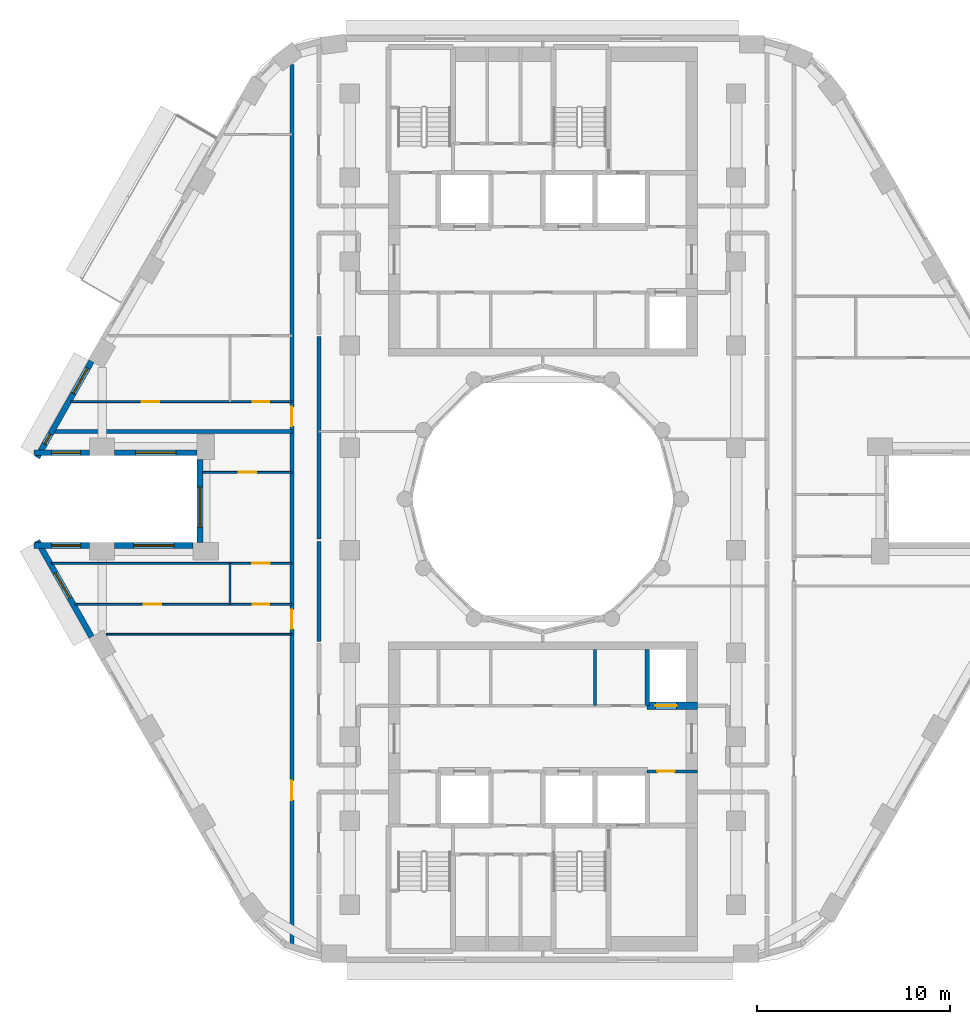
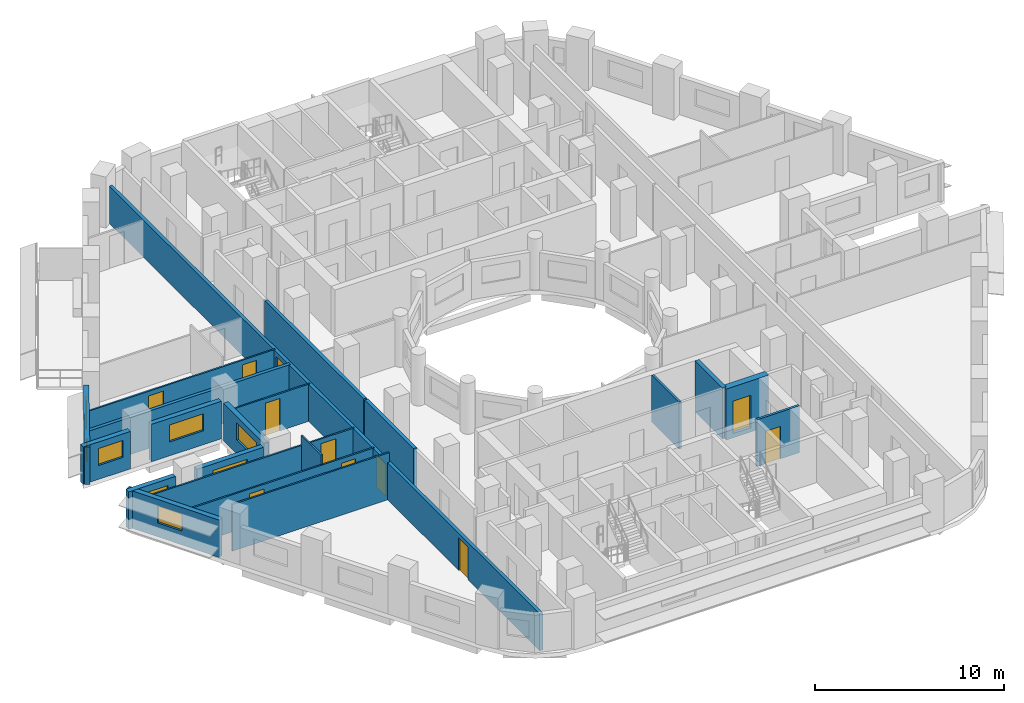
# One storey, part 4 of 13: 21 walls, 11 doors, 8 windows, 19 openings.
"""IFC4 building model written with IfcOpenShell, lengths in metres."""

from ifc_helpers import new_model, si_unit, direction, frame, frame_2d, origin, place, context, subcontext, project, spatial, rectangle, extrude, material, layer, layer_set, type_object, element, fill, save


model = new_model("IFC4")

# Units and contexts
model_context = context("Model", 3, precision=1e-05, world=origin(), true_north=direction((0.0, 1.0)))
body_context = subcontext(model_context, "Body", "Model", "MODEL_VIEW")
ifc_project = project(units=[si_unit("LENGTHUNIT", "METRE"), si_unit("AREAUNIT", "SQUARE_METRE"), si_unit("VOLUMEUNIT", "CUBIC_METRE"), si_unit("PLANEANGLEUNIT", "RADIAN"), si_unit("MASSUNIT", "GRAM", prefix="KILO")], contexts=[model_context])

# Site, building, storey
site_placement = place(None, origin())
site = spatial("IfcSite", under=ifc_project, at=site_placement, CompositionType="ELEMENT")
building_placement = place(site_placement, origin())
building = spatial("IfcBuilding", under=site, at=building_placement, Name="Nakaniwa Court", CompositionType="ELEMENT")
storey_placement = place(building_placement, frame((0.0, 0.0, 143.699951171875)))
storey = spatial("IfcBuildingStorey", under=building, at=storey_placement, Name="L37", CompositionType="ELEMENT", Elevation=143.699951171875)

# Walls
ifc_material_1 = material(Name="Acoustic double stud partition")
ifc_layer_1 = layer(ifc_material_1, 0.199951171875)
ifc_layer_set_1 = layer_set([ifc_layer_1], Name="Acoustic double stud partition")
wall_type_1 = type_object("IfcWallType", Name="Acoustic double stud partition 200", PredefinedType="PARTITIONING", material=ifc_layer_set_1)
wall_1_placement = place(storey_placement, frame((68.39990234375, 72.627197265625, 0.0), z_axis=(0.0, 0.0, 1.0), x_axis=(0.0, 1.0, 0.0)))
element("IfcWall", 1, at=wall_1_placement, inside=storey, type_object=wall_type_1, Name="Partition PW-103", PredefinedType="PARTITIONING", context=body_context, shape_type="SweptSolid", body=[
    extrude(rectangle(XDim=5.185546875, YDim=0.199951171875, at=frame_2d((2.5927734375, 0.0))), origin(), (0.0, 0.0, 1.0), 3.025146484375),
])
wall_2_placement = place(storey_placement, frame((68.39990234375, 77.92724609375, 0.0), z_axis=(0.0, 0.0, 1.0), x_axis=(0.0, 1.0, 0.0)))
element("IfcWall", 2, at=wall_2_placement, inside=storey, type_object=wall_type_1, Name="Partition PW-104", PredefinedType="PARTITIONING", context=body_context, shape_type="SweptSolid", body=[
    extrude(rectangle(XDim=10.485595703125, YDim=0.199951171875, at=frame_2d((5.24267578125, 0.0))), origin(), (0.0, 0.0, 1.0), 3.025146484375),
])

# Wall, openings, doors
wall_3_placement = place(storey_placement, frame((67.0, 56.833251953125, 0.0), z_axis=(0.0, 0.0, 1.0), x_axis=(0.0, 1.0, 0.0)))
wall_3 = element("IfcWall", 3, at=wall_3_placement, inside=storey, type_object=wall_type_1, Name="Partition PW-108", PredefinedType="PARTITIONING", context=body_context, shape_type="SweptSolid", body=[
    extrude(rectangle(XDim=45.660888671875, YDim=0.199951171875, at=frame_2d((22.83056640625, 0.0))), origin(), (0.0, 0.0, 1.0), 2.405029296875),
])
opening_1_placement = place(wall_3_placement, frame((7.583984375, 0.0, 0.0)))
opening_1 = element("IfcOpeningElement", 4, at=opening_1_placement, cuts=wall_3, Name="Opening D-02-06", PredefinedType="OPENING", context=body_context, shape_type="SweptSolid", body=[
    extrude(rectangle(XDim=1.0, YDim=2.10009765625, at=frame_2d((0.5, 1.050048828125))), frame((0.0, 0.10986328125, 0.0), z_axis=(0.0, -1.0, 0.0), x_axis=(1.0, 0.0, 0.0)), (0.0, 0.0, 1.0), 0.219970703125),
])
opening_2_placement = place(wall_3_placement, frame((16.44189453125, 0.0, 0.0)))
opening_2 = element("IfcOpeningElement", 5, at=opening_2_placement, cuts=wall_3, Name="Opening D-01-02", PredefinedType="OPENING", context=body_context, shape_type="SweptSolid", body=[
    extrude(rectangle(XDim=1.0, YDim=2.10009765625, at=frame_2d((0.5, 1.050048828125))), frame((0.0, 0.10986328125, 0.0), z_axis=(0.0, -1.0, 0.0), x_axis=(1.0, 0.0, 0.0)), (0.0, 0.0, 1.0), 0.219970703125),
])
opening_3_placement = place(wall_3_placement, frame((26.94189453125, 0.0, 0.0)))
opening_3 = element("IfcOpeningElement", 6, at=opening_3_placement, cuts=wall_3, Name="Opening D-01-03", PredefinedType="OPENING", context=body_context, shape_type="SweptSolid", body=[
    extrude(rectangle(XDim=1.0, YDim=2.10009765625, at=frame_2d((0.5, 1.050048828125))), frame((0.0, 0.10986328125, 0.0), z_axis=(0.0, -1.0, 0.0), x_axis=(1.0, 0.0, 0.0)), (0.0, 0.0, 1.0), 0.219970703125),
])
ifc_material_2 = material(Name="Solid core timber door set, black veneer", Category="wood")
door_type_1 = type_object("IfcDoorType", Name="Flat entrance door 1000", OperationType="NOTDEFINED", PredefinedType="DOOR", material=ifc_material_2)
door_1_placement = place(opening_2_placement, origin())
door_1 = element("IfcDoor", 7, at=door_1_placement, inside=storey, type_object=door_type_1, Name="Door D-01-02 L37-039", OperationType="SINGLE_SWING_RIGHT", OverallHeight=2.10009765625, OverallWidth=1.0, PredefinedType="DOOR", context=body_context, shape_type="SweptSolid", body=[
    extrude(rectangle(XDim=1.0, YDim=2.10009765625, at=frame_2d((0.5, 1.050048828125))), frame((0.0, 0.02490234375, 0.0), z_axis=(0.0, -1.0, 0.0), x_axis=(1.0, 0.0, 0.0)), (0.0, 0.0, 1.0), 0.050048828125),
])
fill(opening_2, door_1)
door_2_placement = place(opening_3_placement, origin())
door_2 = element("IfcDoor", 8, at=door_2_placement, inside=storey, type_object=door_type_1, Name="Door D-01-03 L37-045", OperationType="SINGLE_SWING_RIGHT", OverallHeight=2.10009765625, OverallWidth=1.0, PredefinedType="DOOR", context=body_context, shape_type="SweptSolid", body=[
    extrude(rectangle(XDim=1.0, YDim=2.10009765625, at=frame_2d((0.5, 1.050048828125))), frame((0.0, 0.02490234375, 0.0), z_axis=(0.0, -1.0, 0.0), x_axis=(1.0, 0.0, 0.0)), (0.0, 0.0, 1.0), 0.050048828125),
])
fill(opening_3, door_2)
door_type_2 = type_object("IfcDoorType", Name="Internal door 1000", OperationType="NOTDEFINED", PredefinedType="DOOR", material=ifc_material_2)
door_3_placement = place(opening_1_placement, origin())
door_3 = element("IfcDoor", 9, at=door_3_placement, inside=storey, type_object=door_type_2, Name="Door D-02-06 L37-037", OperationType="SINGLE_SWING_RIGHT", OverallHeight=2.10009765625, OverallWidth=1.0, PredefinedType="DOOR", context=body_context, shape_type="SweptSolid", body=[
    extrude(rectangle(XDim=1.0, YDim=2.10009765625, at=frame_2d((0.5, 1.050048828125))), frame((0.0, 0.02490234375, 0.0), z_axis=(0.0, -1.0, 0.0), x_axis=(1.0, 0.0, 0.0)), (0.0, 0.0, 1.0), 0.050048828125),
])
fill(opening_1, door_3)

# Wall
wall_4_placement = place(storey_placement, frame((54.654296875, 83.5, 0.0), z_axis=(0.0, 0.0, 1.0), x_axis=(1.0, 0.0, 0.0)))
element("IfcWall", 10, at=wall_4_placement, inside=storey, type_object=wall_type_1, Name="Partition PW-132", PredefinedType="PARTITIONING", context=body_context, shape_type="SweptSolid", body=[
    extrude(rectangle(XDim=12.3447265625, YDim=0.199951171875, at=frame_2d((6.17236328125, 0.0))), origin(), (0.0, 0.0, 1.0), 2.405029296875),
])

# Wall, openings, windows
ifc_material_3 = material(Name="Charcoal ceramic cladding")
ifc_layer_2 = layer(ifc_material_3, 0.02, Name="Ceramic cladding")
ifc_material_4 = material(Name="Ventilated air cavity")
ifc_layer_3 = layer(ifc_material_4, 0.04, ventilated=True, Name="Ventilated cavity")
ifc_material_5 = material(Name="Mineral wool insulation")
ifc_layer_4 = layer(ifc_material_5, 0.1, Name="Insulation")
ifc_material_6 = material(Name="Cement bonded sheathing board")
ifc_layer_5 = layer(ifc_material_6, 0.012, Name="Sheathing")
ifc_material_7 = material(Name="Cold-formed galvanised stud frame with mineral wool infill")
ifc_layer_6 = layer(ifc_material_7, 0.1, Name="Stud frame")
ifc_material_8 = material(Name="Fire-rated gypsum plasterboard lining")
ifc_layer_7 = layer(ifc_material_8, 0.028, Name="Lining")
ifc_layer_set_2 = layer_set([ifc_layer_2, ifc_layer_3, ifc_layer_4, ifc_layer_5, ifc_layer_6, ifc_layer_7], Name="Charcoal ceramic faced external wall system")
wall_type_2 = type_object("IfcWallType", Name="Black ceramic faced external wall 300", PredefinedType="SOLIDWALL", material=ifc_layer_set_2)
wall_5_placement = place(storey_placement, frame((56.63427734375, 87.13720703125, 0.0), z_axis=(0.0, 0.0, 1.0), x_axis=(-0.492498306264, -0.87031340236, 0.0)))
wall_5 = element("IfcWall", 11, at=wall_5_placement, inside=storey, type_object=wall_type_2, Name="L37 external wall 14", PredefinedType="SOLIDWALL", context=body_context, shape_type="SweptSolid", body=[
    extrude(rectangle(XDim=5.7265625, YDim=0.300048828125, at=frame_2d((2.86328125, 0.0))), origin(), (0.0, 0.0, 1.0), 2.425048828125),
])
opening_4_placement = place(wall_5_placement, frame((0.413818359375, 0.0, 0.89990234375)))
opening_4 = element("IfcOpeningElement", 12, at=opening_4_placement, cuts=wall_5, Name="Opening W5.15", PredefinedType="OPENING", context=body_context, shape_type="SweptSolid", body=[
    extrude(rectangle(XDim=1.5, YDim=1.10009765625, at=frame_2d((0.75, 0.550048828125))), frame((0.0, 0.159912109375, 0.0), z_axis=(0.0, -1.0, 0.0), x_axis=(1.0, 0.0, 0.0)), (0.0, 0.0, 1.0), 0.320068359375),
])
opening_5_placement = place(wall_5_placement, frame((4.32861328125, 0.0, 0.89990234375)))
opening_5 = element("IfcOpeningElement", 13, at=opening_5_placement, cuts=wall_5, Name="Opening W8.16", PredefinedType="OPENING", context=body_context, shape_type="SweptSolid", body=[
    extrude(rectangle(XDim=0.60009765625, YDim=1.10009765625, at=frame_2d((0.300048828125, 0.550048828125))), frame((0.0, 0.159912109375, 0.0), z_axis=(0.0, -1.0, 0.0), x_axis=(1.0, 0.0, 0.0)), (0.0, 0.0, 1.0), 0.320068359375),
])
ifc_material_9 = material(Name="Black anodised aluminium frame with dark low-E laminated double glazing", Category="aluminium")
window_type_1 = type_object("IfcWindowType", Name="Dark glass window 1500x1100 sill 900", PartitioningType="SINGLE_PANEL", PredefinedType="WINDOW", material=ifc_material_9)
window_1_placement = place(opening_4_placement, origin())
window_1 = element("IfcWindow", 14, at=window_1_placement, inside=storey, type_object=window_type_1, Name="L37 habitable room window 14-0", OverallHeight=1.10009765625, OverallWidth=1.5, PartitioningType="SINGLE_PANEL", PredefinedType="WINDOW", context=body_context, shape_type="SweptSolid", body=[
    extrude(rectangle(XDim=1.5, YDim=1.10009765625, at=frame_2d((0.75, 0.550048828125))), frame((0.0, 0.030029296875, 0.0), z_axis=(0.0, -1.0, 0.0), x_axis=(1.0, 0.0, 0.0)), (0.0, 0.0, 1.0), 0.06005859375),
])
fill(opening_4, window_1)
window_type_2 = type_object("IfcWindowType", Name="Dark glass window 600x1100 sill 900", PartitioningType="SINGLE_PANEL", PredefinedType="WINDOW", material=ifc_material_9)
window_2_placement = place(opening_5_placement, origin())
window_2 = element("IfcWindow", 15, at=window_2_placement, inside=storey, type_object=window_type_2, Name="L37 habitable room window 14-2", OverallHeight=1.10009765625, OverallWidth=0.60009765625, PartitioningType="SINGLE_PANEL", PredefinedType="WINDOW", context=body_context, shape_type="SweptSolid", body=[
    extrude(rectangle(XDim=0.60009765625, YDim=1.10009765625, at=frame_2d((0.300048828125, 0.550048828125))), frame((0.0, 0.030029296875, 0.0), z_axis=(0.0, -1.0, 0.0), x_axis=(1.0, 0.0, 0.0)), (0.0, 0.0, 1.0), 0.06005859375),
])
fill(opening_5, window_2)

# Wall, opening, window
wall_6_placement = place(storey_placement, frame((53.643310546875, 82.39990234375, 0.0), z_axis=(0.0, 0.0, 1.0), x_axis=(1.0, 0.0, 0.0)))
wall_6 = element("IfcWall", 16, at=wall_6_placement, inside=storey, type_object=wall_type_2, Name="L37 external wall 15", PredefinedType="SOLIDWALL", context=body_context, shape_type="SweptSolid", body=[
    extrude(rectangle(XDim=2.8876953125, YDim=0.300048828125, at=frame_2d((1.44384765625, 0.0))), origin(), (0.0, 0.0, 1.0), 2.425048828125),
])
opening_6_placement = place(wall_6_placement, frame((0.9189453125, 0.0, 0.89990234375)))
opening_6 = element("IfcOpeningElement", 17, at=opening_6_placement, cuts=wall_6, Name="Opening W5.17", PredefinedType="OPENING", context=body_context, shape_type="SweptSolid", body=[
    extrude(rectangle(XDim=1.5, YDim=1.10009765625, at=frame_2d((0.75, 0.550048828125))), frame((0.0, 0.159912109375, 0.0), z_axis=(0.0, -1.0, 0.0), x_axis=(1.0, 0.0, 0.0)), (0.0, 0.0, 1.0), 0.320068359375),
])
window_3_placement = place(opening_6_placement, origin())
window_3 = element("IfcWindow", 18, at=window_3_placement, inside=storey, type_object=window_type_1, Name="L37 habitable room window 15-0", OverallHeight=1.10009765625, OverallWidth=1.5, PartitioningType="SINGLE_PANEL", PredefinedType="WINDOW", context=body_context, shape_type="SweptSolid", body=[
    extrude(rectangle(XDim=1.5, YDim=1.10009765625, at=frame_2d((0.75, 0.550048828125))), frame((0.0, 0.030029296875, 0.0), z_axis=(0.0, -1.0, 0.0), x_axis=(1.0, 0.0, 0.0)), (0.0, 0.0, 1.0), 0.06005859375),
])
fill(opening_6, window_3)

wall_7_placement = place(storey_placement, frame((57.822998046875, 82.39990234375, 0.0), z_axis=(0.0, 0.0, 1.0), x_axis=(1.0, 0.0, 0.0)))
wall_7 = element("IfcWall", 19, at=wall_7_placement, inside=storey, type_object=wall_type_2, Name="L37 external wall 16", PredefinedType="SOLIDWALL", context=body_context, shape_type="SweptSolid", body=[
    extrude(rectangle(XDim=4.272705078125, YDim=0.300048828125, at=frame_2d((2.13623046875, 0.0))), origin(), (0.0, 0.0, 1.0), 2.425048828125),
])
opening_7_placement = place(wall_7_placement, frame((1.086181640625, 0.0, 0.89990234375)))
opening_7 = element("IfcOpeningElement", 20, at=opening_7_placement, cuts=wall_7, Name="Opening W7.18", PredefinedType="OPENING", context=body_context, shape_type="SweptSolid", body=[
    extrude(rectangle(XDim=2.10009765625, YDim=1.10009765625, at=frame_2d((1.050048828125, 0.550048828125))), frame((0.0, 0.159912109375, 0.0), z_axis=(0.0, -1.0, 0.0), x_axis=(1.0, 0.0, 0.0)), (0.0, 0.0, 1.0), 0.320068359375),
])
window_type_3 = type_object("IfcWindowType", Name="Dark glass window 2100x1100 sill 900", PartitioningType="SINGLE_PANEL", PredefinedType="WINDOW", material=ifc_material_9)
window_4_placement = place(opening_7_placement, origin())
window_4 = element("IfcWindow", 21, at=window_4_placement, inside=storey, type_object=window_type_3, Name="L37 habitable room window 16-0", OverallHeight=1.10009765625, OverallWidth=2.10009765625, PartitioningType="SINGLE_PANEL", PredefinedType="WINDOW", context=body_context, shape_type="SweptSolid", body=[
    extrude(rectangle(XDim=2.10009765625, YDim=1.10009765625, at=frame_2d((1.050048828125, 0.550048828125))), frame((0.0, 0.030029296875, 0.0), z_axis=(0.0, -1.0, 0.0), x_axis=(1.0, 0.0, 0.0)), (0.0, 0.0, 1.0), 0.06005859375),
])
fill(opening_7, window_4)

wall_8_placement = place(storey_placement, frame((62.24169921875, 82.053955078125, 0.0), z_axis=(0.0, 0.0, 1.0), x_axis=(0.0, -1.0, 0.0)))
wall_8 = element("IfcWall", 22, at=wall_8_placement, inside=storey, type_object=wall_type_2, Name="L37 external wall 17", PredefinedType="SOLIDWALL", context=body_context, shape_type="SweptSolid", body=[
    extrude(rectangle(XDim=4.307861328125, YDim=0.300048828125, at=frame_2d((2.15380859375, 0.0))), origin(), (0.0, 0.0, 1.0), 2.425048828125),
])
opening_8_placement = place(wall_8_placement, frame((1.4287109375, 0.0, 0.89990234375)))
opening_8 = element("IfcOpeningElement", 23, at=opening_8_placement, cuts=wall_8, Name="Opening W7.19", PredefinedType="OPENING", context=body_context, shape_type="SweptSolid", body=[
    extrude(rectangle(XDim=2.10009765625, YDim=1.10009765625, at=frame_2d((1.050048828125, 0.550048828125))), frame((0.0, 0.159912109375, 0.0), z_axis=(0.0, -1.0, 0.0), x_axis=(1.0, 0.0, 0.0)), (0.0, 0.0, 1.0), 0.320068359375),
])
window_5_placement = place(opening_8_placement, origin())
window_5 = element("IfcWindow", 24, at=window_5_placement, inside=storey, type_object=window_type_3, Name="L37 living window 17-1", OverallHeight=1.10009765625, OverallWidth=2.10009765625, PartitioningType="SINGLE_PANEL", PredefinedType="WINDOW", context=body_context, shape_type="SweptSolid", body=[
    extrude(rectangle(XDim=2.10009765625, YDim=1.10009765625, at=frame_2d((1.050048828125, 0.550048828125))), frame((0.0, 0.030029296875, 0.0), z_axis=(0.0, -1.0, 0.0), x_axis=(1.0, 0.0, 0.0)), (0.0, 0.0, 1.0), 0.06005859375),
])
fill(opening_8, window_5)

wall_9_placement = place(storey_placement, frame((61.8955078125, 77.60009765625, 0.0), z_axis=(0.0, 0.0, 1.0), x_axis=(-1.0, 0.0, 0.0)))
wall_9 = element("IfcWall", 25, at=wall_9_placement, inside=storey, type_object=wall_type_2, Name="L37 external wall 18", PredefinedType="SOLIDWALL", context=body_context, shape_type="SweptSolid", body=[
    extrude(rectangle(XDim=4.072509765625, YDim=0.300048828125, at=frame_2d((2.0361328125, 0.0))), origin(), (0.0, 0.0, 1.0), 2.425048828125),
])
opening_9_placement = place(wall_9_placement, frame((0.986083984375, 0.0, 0.89990234375)))
opening_9 = element("IfcOpeningElement", 26, at=opening_9_placement, cuts=wall_9, Name="Opening W7.20", PredefinedType="OPENING", context=body_context, shape_type="SweptSolid", body=[
    extrude(rectangle(XDim=2.10009765625, YDim=1.10009765625, at=frame_2d((1.050048828125, 0.550048828125))), frame((0.0, 0.159912109375, 0.0), z_axis=(0.0, -1.0, 0.0), x_axis=(1.0, 0.0, 0.0)), (0.0, 0.0, 1.0), 0.320068359375),
])
window_6_placement = place(opening_9_placement, origin())
window_6 = element("IfcWindow", 27, at=window_6_placement, inside=storey, type_object=window_type_3, Name="L37 living window 18-0", OverallHeight=1.10009765625, OverallWidth=2.10009765625, PartitioningType="SINGLE_PANEL", PredefinedType="WINDOW", context=body_context, shape_type="SweptSolid", body=[
    extrude(rectangle(XDim=2.10009765625, YDim=1.10009765625, at=frame_2d((1.050048828125, 0.550048828125))), frame((0.0, 0.030029296875, 0.0), z_axis=(0.0, -1.0, 0.0), x_axis=(1.0, 0.0, 0.0)), (0.0, 0.0, 1.0), 0.06005859375),
])
fill(opening_9, window_6)

wall_10_placement = place(storey_placement, frame((56.531005859375, 77.60009765625, 0.0), z_axis=(0.0, 0.0, 1.0), x_axis=(-1.0, 0.0, 0.0)))
wall_10 = element("IfcWall", 28, at=wall_10_placement, inside=storey, type_object=wall_type_2, Name="L37 external wall 19", PredefinedType="SOLIDWALL", context=body_context, shape_type="SweptSolid", body=[
    extrude(rectangle(XDim=2.8876953125, YDim=0.300048828125, at=frame_2d((1.44384765625, 0.0))), origin(), (0.0, 0.0, 1.0), 2.425048828125),
])
opening_10_placement = place(wall_10_placement, frame((0.468994140625, 0.0, 0.89990234375)))
opening_10 = element("IfcOpeningElement", 29, at=opening_10_placement, cuts=wall_10, Name="Opening W5.21", PredefinedType="OPENING", context=body_context, shape_type="SweptSolid", body=[
    extrude(rectangle(XDim=1.5, YDim=1.10009765625, at=frame_2d((0.75, 0.550048828125))), frame((0.0, 0.159912109375, 0.0), z_axis=(0.0, -1.0, 0.0), x_axis=(1.0, 0.0, 0.0)), (0.0, 0.0, 1.0), 0.320068359375),
])
window_7_placement = place(opening_10_placement, origin())
window_7 = element("IfcWindow", 30, at=window_7_placement, inside=storey, type_object=window_type_1, Name="L37 living window 19-0", OverallHeight=1.10009765625, OverallWidth=1.5, PartitioningType="SINGLE_PANEL", PredefinedType="WINDOW", context=body_context, shape_type="SweptSolid", body=[
    extrude(rectangle(XDim=1.5, YDim=1.10009765625, at=frame_2d((0.75, 0.550048828125))), frame((0.0, 0.030029296875, 0.0), z_axis=(0.0, -1.0, 0.0), x_axis=(1.0, 0.0, 0.0)), (0.0, 0.0, 1.0), 0.06005859375),
])
fill(opening_10, window_7)

wall_11_placement = place(storey_placement, frame((53.81396484375, 77.8466796875, 0.0), z_axis=(0.0, 0.0, 1.0), x_axis=(0.492498306264, -0.87031340236, 0.0)))
wall_11 = element("IfcWall", 31, at=wall_11_placement, inside=storey, type_object=wall_type_2, Name="L37 external wall 20", PredefinedType="SOLIDWALL", context=body_context, shape_type="SweptSolid", body=[
    extrude(rectangle(XDim=5.7265625, YDim=0.300048828125, at=frame_2d((2.86328125, 0.0))), origin(), (0.0, 0.0, 1.0), 2.425048828125),
])
opening_11_placement = place(wall_11_placement, frame((1.916259765625, 0.0, 0.89990234375)))
opening_11 = element("IfcOpeningElement", 32, at=opening_11_placement, cuts=wall_11, Name="Opening W5.22", PredefinedType="OPENING", context=body_context, shape_type="SweptSolid", body=[
    extrude(rectangle(XDim=1.5, YDim=1.10009765625, at=frame_2d((0.75, 0.550048828125))), frame((0.0, 0.159912109375, 0.0), z_axis=(0.0, -1.0, 0.0), x_axis=(1.0, 0.0, 0.0)), (0.0, 0.0, 1.0), 0.320068359375),
])
window_8_placement = place(opening_11_placement, origin())
window_8 = element("IfcWindow", 33, at=window_8_placement, inside=storey, type_object=window_type_1, Name="L37 habitable room window 20-1", OverallHeight=1.10009765625, OverallWidth=1.5, PartitioningType="SINGLE_PANEL", PredefinedType="WINDOW", context=body_context, shape_type="SweptSolid", body=[
    extrude(rectangle(XDim=1.5, YDim=1.10009765625, at=frame_2d((0.75, 0.550048828125))), frame((0.0, 0.030029296875, 0.0), z_axis=(0.0, -1.0, 0.0), x_axis=(1.0, 0.0, 0.0)), (0.0, 0.0, 1.0), 0.06005859375),
])
fill(opening_11, window_8)

# Wall
ifc_material_10 = material(Name="Blockwork partition", Category="masonry")
ifc_layer_8 = layer(ifc_material_10, 0.14990234375)
ifc_layer_set_3 = layer_set([ifc_layer_8], Name="Blockwork partition")
wall_type_3 = type_object("IfcWallType", Name="Blockwork partition 150", PredefinedType="PARTITIONING", material=ifc_layer_set_3)
wall_12_placement = place(storey_placement, frame((82.699951171875, 69.300048828125, 0.0), z_axis=(0.0, 0.0, 1.0), x_axis=(0.0, 1.0, 0.0)))
element("IfcWall", 34, at=wall_12_placement, inside=storey, type_object=wall_type_3, Name="Partition PW-044", PredefinedType="PARTITIONING", context=body_context, shape_type="SweptSolid", body=[
    extrude(rectangle(XDim=2.89990234375, YDim=0.14990234375, at=frame_2d((1.449951171875, 0.0))), origin(), (0.0, 0.0, 1.0), 3.025146484375),
])

# Wall, opening, door
wall_13_placement = place(storey_placement, frame((88.0, 65.89990234375, 0.0), z_axis=(0.0, 0.0, 1.0), x_axis=(-1.0, 0.0, 0.0)))
wall_13 = element("IfcWall", 35, at=wall_13_placement, inside=storey, type_object=wall_type_3, Name="Partition PW-047", PredefinedType="PARTITIONING", context=body_context, shape_type="SweptSolid", body=[
    extrude(rectangle(XDim=2.60302734375, YDim=0.14990234375, at=frame_2d((1.301513671875, 0.0))), origin(), (0.0, 0.0, 1.0), 3.025146484375),
])
opening_12_placement = place(wall_13_placement, frame((1.175048828125, 0.0, 0.0)))
opening_12 = element("IfcOpeningElement", 36, at=opening_12_placement, cuts=wall_13, Name="Opening D-05-13", PredefinedType="OPENING", context=body_context, shape_type="SweptSolid", body=[
    extrude(rectangle(XDim=0.89990234375, YDim=2.10009765625, at=frame_2d((0.449951171875, 1.050048828125))), frame((0.0, 0.0849609375, 0.0), z_axis=(0.0, -1.0, 0.0), x_axis=(1.0, 0.0, 0.0)), (0.0, 0.0, 1.0), 0.169921875),
])
ifc_material_11 = material(Name="Fire rated steel door set", Category="steel")
door_type_3 = type_object("IfcDoorType", Name="Service room door 900", OperationType="NOTDEFINED", PredefinedType="DOOR", material=ifc_material_11)
door_4_placement = place(opening_12_placement, origin())
door_4 = element("IfcDoor", 37, at=door_4_placement, inside=storey, type_object=door_type_3, Name="Door D-05-13 L37-020", OperationType="SINGLE_SWING_LEFT", OverallHeight=2.10009765625, OverallWidth=0.89990234375, PredefinedType="DOOR", context=body_context, shape_type="SweptSolid", body=[
    extrude(rectangle(XDim=0.89990234375, YDim=2.10009765625, at=frame_2d((0.449951171875, 1.050048828125))), frame((0.0, 0.02490234375, 0.0), z_axis=(0.0, -1.0, 0.0), x_axis=(1.0, 0.0, 0.0)), (0.0, 0.0, 1.0), 0.050048828125),
])
fill(opening_12, door_4)

ifc_material_12 = material(Name="Concrete C80/100", Category="concrete")
ifc_layer_9 = layer(ifc_material_12, 0.39990234375)
ifc_layer_set_4 = layer_set([ifc_layer_9], Name="Concrete C80/100")
wall_type_4 = type_object("IfcWallType", Name="Concrete core spine wall 400 C80", PredefinedType="SHEAR", material=ifc_layer_set_4)
wall_14_placement = place(storey_placement, frame((85.39990234375, 69.300048828125, -0.27490234375), z_axis=(0.0, 0.0, 1.0), x_axis=(1.0, 0.0, 0.0)))
wall_14 = element("IfcWall", 38, at=wall_14_placement, inside=storey, type_object=wall_type_4, Name="Core wall SW-41", PredefinedType="SHEAR", context=body_context, shape_type="SweptSolid", body=[
    extrude(rectangle(XDim=2.60009765625, YDim=0.39990234375, at=frame_2d((1.300048828125, 0.0))), origin(), (0.0, 0.0, 1.0), 3.300048828125),
])
opening_13_placement = place(wall_14_placement, frame((0.425048828125, 0.0, 0.27490234375)))
opening_13 = element("IfcOpeningElement", 39, at=opening_13_placement, cuts=wall_14, Name="Opening LD05", PredefinedType="OPENING", context=body_context, shape_type="SweptSolid", body=[
    extrude(rectangle(XDim=1.10009765625, YDim=2.10009765625, at=frame_2d((0.550048828125, 1.050048828125))), frame((0.0, 0.2099609375, 0.0), z_axis=(0.0, -1.0, 0.0), x_axis=(1.0, 0.0, 0.0)), (0.0, 0.0, 1.0), 0.419921875),
])
ifc_material_13 = material(Name="Stainless steel sliding lift landing door", Category="steel")
door_type_4 = type_object("IfcDoorType", Name="Lift landing door 1100", OperationType="NOTDEFINED", PredefinedType="DOOR", material=ifc_material_13)
door_5_placement = place(opening_13_placement, origin())
door_5 = element("IfcDoor", 40, at=door_5_placement, inside=storey, type_object=door_type_4, Name="Lift landing door LD05 L37-005", OperationType="SLIDING_TO_LEFT", OverallHeight=2.10009765625, OverallWidth=1.10009765625, PredefinedType="DOOR", context=body_context, shape_type="SweptSolid", body=[
    extrude(rectangle(XDim=1.10009765625, YDim=2.10009765625, at=frame_2d((0.550048828125, 1.050048828125))), frame((0.0, 0.02490234375, 0.0), z_axis=(0.0, -1.0, 0.0), x_axis=(1.0, 0.0, 0.0)), (0.0, 0.0, 1.0), 0.050048828125),
])
fill(opening_13, door_5)

# Walls
ifc_layer_10 = layer(ifc_material_12, 0.25)
ifc_layer_set_5 = layer_set([ifc_layer_10], Name="Concrete C80/100")
wall_type_5 = type_object("IfcWallType", Name="Concrete shaft wall 250 C80", PredefinedType="SHEAR", material=ifc_layer_set_5)
wall_15_placement = place(storey_placement, frame((85.39990234375, 69.300048828125, -0.27490234375), z_axis=(0.0, 0.0, 1.0), x_axis=(0.0, 1.0, 0.0)))
element("IfcWall", 41, at=wall_15_placement, inside=storey, type_object=wall_type_5, Name="Core wall SW-40", PredefinedType="SHEAR", context=body_context, shape_type="SweptSolid", body=[
    extrude(rectangle(XDim=2.89990234375, YDim=0.25, at=frame_2d((1.449951171875, 0.0))), origin(), (0.0, 0.0, 1.0), 3.300048828125),
])
ifc_material_14 = material(Name="Single stud plasterboard partition")
ifc_layer_11 = layer(ifc_material_14, 0.10009765625)
ifc_layer_set_6 = layer_set([ifc_layer_11], Name="Single stud plasterboard partition")
wall_type_6 = type_object("IfcWallType", Name="Single stud plasterboard partition 100", PredefinedType="PARTITIONING", material=ifc_layer_set_6)
wall_16_placement = place(storey_placement, frame((57.390869140625, 73.0, 0.0), z_axis=(0.0, 0.0, 1.0), x_axis=(1.0, 0.0, 0.0)))
element("IfcWall", 42, at=wall_16_placement, inside=storey, type_object=wall_type_6, Name="Partition PW-124", PredefinedType="PARTITIONING", context=body_context, shape_type="SweptSolid", body=[
    extrude(rectangle(XDim=9.60791015625, YDim=0.10009765625, at=frame_2d((4.803955078125, 0.0))), origin(), (0.0, 0.0, 1.0), 3.025146484375),
])

# Wall, openings, doors
wall_17_placement = place(storey_placement, frame((55.7802734375, 74.550048828125, 0.0), z_axis=(0.0, 0.0, 1.0), x_axis=(1.0, 0.0, 0.0)))
wall_17 = element("IfcWall", 43, at=wall_17_placement, inside=storey, type_object=wall_type_6, Name="Partition PW-127", PredefinedType="PARTITIONING", context=body_context, shape_type="SweptSolid", body=[
    extrude(rectangle(XDim=11.21875, YDim=0.10009765625, at=frame_2d((5.609375, 0.0))), origin(), (0.0, 0.0, 1.0), 2.405029296875),
])
opening_14_placement = place(wall_17_placement, frame((9.194091796875, 0.0, 0.0)))
opening_14 = element("IfcOpeningElement", 44, at=opening_14_placement, cuts=wall_17, Name="Opening D-03-02", PredefinedType="OPENING", context=body_context, shape_type="SweptSolid", body=[
    extrude(rectangle(XDim=0.85009765625, YDim=2.10009765625, at=frame_2d((0.425048828125, 1.050048828125))), frame((0.0, 0.06005859375, 0.0), z_axis=(0.0, -1.0, 0.0), x_axis=(1.0, 0.0, 0.0)), (0.0, 0.0, 1.0), 0.1201171875),
])
opening_15_placement = place(wall_17_placement, frame((3.55908203125, 0.0, 0.0)))
opening_15 = element("IfcOpeningElement", 45, at=opening_15_placement, cuts=wall_17, Name="Opening D-33-04", PredefinedType="OPENING", context=body_context, shape_type="SweptSolid", body=[
    extrude(rectangle(XDim=0.89990234375, YDim=2.10009765625, at=frame_2d((0.449951171875, 1.050048828125))), frame((0.0, 0.06005859375, 0.0), z_axis=(0.0, -1.0, 0.0), x_axis=(1.0, 0.0, 0.0)), (0.0, 0.0, 1.0), 0.1201171875),
])
ifc_material_15 = material(Name="Moisture sealed timber door set", Category="wood")
door_type_5 = type_object("IfcDoorType", Name="Bathroom door 850", OperationType="NOTDEFINED", PredefinedType="DOOR", material=ifc_material_15)
door_6_placement = place(opening_14_placement, origin())
door_6 = element("IfcDoor", 46, at=door_6_placement, inside=storey, type_object=door_type_5, Name="Door D-03-02 L37-040", OperationType="SINGLE_SWING_LEFT", OverallHeight=2.10009765625, OverallWidth=0.85009765625, PredefinedType="DOOR", context=body_context, shape_type="SweptSolid", body=[
    extrude(rectangle(XDim=0.85009765625, YDim=2.10009765625, at=frame_2d((0.425048828125, 1.050048828125))), frame((0.0, 0.02490234375, 0.0), z_axis=(0.0, -1.0, 0.0), x_axis=(1.0, 0.0, 0.0)), (0.0, 0.0, 1.0), 0.050048828125),
])
fill(opening_14, door_6)
door_type_6 = type_object("IfcDoorType", Name="Internal door 900", OperationType="NOTDEFINED", PredefinedType="DOOR", material=ifc_material_2)
door_7_placement = place(opening_15_placement, origin())
door_7 = element("IfcDoor", 47, at=door_7_placement, inside=storey, type_object=door_type_6, Name="Door D-33-04 L37-041", OperationType="SINGLE_SWING_RIGHT", OverallHeight=2.10009765625, OverallWidth=0.89990234375, PredefinedType="DOOR", context=body_context, shape_type="SweptSolid", body=[
    extrude(rectangle(XDim=0.89990234375, YDim=2.10009765625, at=frame_2d((0.449951171875, 1.050048828125))), frame((0.0, 0.02490234375, 0.0), z_axis=(0.0, -1.0, 0.0), x_axis=(1.0, 0.0, 0.0)), (0.0, 0.0, 1.0), 0.050048828125),
])
fill(opening_15, door_7)

# Wall
wall_18_placement = place(storey_placement, frame((63.799072265625, 74.550048828125, 0.0), z_axis=(0.0, 0.0, 1.0), x_axis=(0.0, 1.0, 0.0)))
element("IfcWall", 48, at=wall_18_placement, inside=storey, type_object=wall_type_6, Name="Partition PW-128", PredefinedType="PARTITIONING", context=body_context, shape_type="SweptSolid", body=[
    extrude(rectangle(XDim=2.11962890625, YDim=0.10009765625, at=frame_2d((1.059814453125, 0.0))), origin(), (0.0, 0.0, 1.0), 3.025146484375),
])

# Wall, opening, door
wall_19_placement = place(storey_placement, frame((54.556396484375, 76.669921875, 0.0), z_axis=(0.0, 0.0, 1.0), x_axis=(1.0, 0.0, 0.0)))
wall_19 = element("IfcWall", 49, at=wall_19_placement, inside=storey, type_object=wall_type_6, Name="Partition PW-130", PredefinedType="PARTITIONING", context=body_context, shape_type="SweptSolid", body=[
    extrude(rectangle(XDim=12.442626953125, YDim=0.10009765625, at=frame_2d((6.22119140625, 0.0))), origin(), (0.0, 0.0, 1.0), 2.405029296875),
])
opening_16_placement = place(wall_19_placement, frame((10.39111328125, 0.0, 0.0)))
opening_16 = element("IfcOpeningElement", 50, at=opening_16_placement, cuts=wall_19, Name="Opening D-33-05", PredefinedType="OPENING", context=body_context, shape_type="SweptSolid", body=[
    extrude(rectangle(XDim=0.89990234375, YDim=2.10009765625, at=frame_2d((0.449951171875, 1.050048828125))), frame((0.0, 0.06005859375, 0.0), z_axis=(0.0, -1.0, 0.0), x_axis=(1.0, 0.0, 0.0)), (0.0, 0.0, 1.0), 0.1201171875),
])
door_8_placement = place(opening_16_placement, origin())
door_8 = element("IfcDoor", 51, at=door_8_placement, inside=storey, type_object=door_type_6, Name="Door D-33-05 L37-042", OperationType="SINGLE_SWING_LEFT", OverallHeight=2.10009765625, OverallWidth=0.89990234375, PredefinedType="DOOR", context=body_context, shape_type="SweptSolid", body=[
    extrude(rectangle(XDim=0.89990234375, YDim=2.10009765625, at=frame_2d((0.449951171875, 1.050048828125))), frame((0.0, 0.02490234375, 0.0), z_axis=(0.0, -1.0, 0.0), x_axis=(1.0, 0.0, 0.0)), (0.0, 0.0, 1.0), 0.050048828125),
])
fill(opening_16, door_8)

wall_20_placement = place(storey_placement, frame((62.3916015625, 81.3798828125, 0.0), z_axis=(0.0, 0.0, 1.0), x_axis=(1.0, 0.0, 0.0)))
wall_20 = element("IfcWall", 52, at=wall_20_placement, inside=storey, type_object=wall_type_6, Name="Partition PW-131", PredefinedType="PARTITIONING", context=body_context, shape_type="SweptSolid", body=[
    extrude(rectangle(XDim=4.607421875, YDim=0.10009765625, at=frame_2d((2.3037109375, 0.0))), origin(), (0.0, 0.0, 1.0), 2.405029296875),
])
opening_17_placement = place(wall_20_placement, frame((1.85400390625, 0.0, 0.0)))
opening_17 = element("IfcOpeningElement", 53, at=opening_17_placement, cuts=wall_20, Name="Opening D-33-06", PredefinedType="OPENING", context=body_context, shape_type="SweptSolid", body=[
    extrude(rectangle(XDim=0.89990234375, YDim=2.10009765625, at=frame_2d((0.449951171875, 1.050048828125))), frame((0.0, 0.06005859375, 0.0), z_axis=(0.0, -1.0, 0.0), x_axis=(1.0, 0.0, 0.0)), (0.0, 0.0, 1.0), 0.1201171875),
])
door_9_placement = place(opening_17_placement, origin())
door_9 = element("IfcDoor", 54, at=door_9_placement, inside=storey, type_object=door_type_6, Name="Door D-33-06 L37-043", OperationType="SINGLE_SWING_RIGHT", OverallHeight=2.10009765625, OverallWidth=0.89990234375, PredefinedType="DOOR", context=body_context, shape_type="SweptSolid", body=[
    extrude(rectangle(XDim=0.89990234375, YDim=2.10009765625, at=frame_2d((0.449951171875, 1.050048828125))), frame((0.0, 0.02490234375, 0.0), z_axis=(0.0, -1.0, 0.0), x_axis=(1.0, 0.0, 0.0)), (0.0, 0.0, 1.0), 0.050048828125),
])
fill(opening_17, door_9)

# Wall, openings, doors
wall_21_placement = place(storey_placement, frame((55.54931640625, 85.050048828125, 0.0), z_axis=(0.0, 0.0, 1.0), x_axis=(1.0, 0.0, 0.0)))
wall_21 = element("IfcWall", 55, at=wall_21_placement, inside=storey, type_object=wall_type_6, Name="Partition PW-133", PredefinedType="PARTITIONING", context=body_context, shape_type="SweptSolid", body=[
    extrude(rectangle(XDim=11.44970703125, YDim=0.10009765625, at=frame_2d((5.724853515625, 0.0))), origin(), (0.0, 0.0, 1.0), 2.405029296875),
])
opening_18_placement = place(wall_21_placement, frame((9.425048828125, 0.0, 0.0)))
opening_18 = element("IfcOpeningElement", 56, at=opening_18_placement, cuts=wall_21, Name="Opening D-03-03", PredefinedType="OPENING", context=body_context, shape_type="SweptSolid", body=[
    extrude(rectangle(XDim=0.85009765625, YDim=2.10009765625, at=frame_2d((0.425048828125, 1.050048828125))), frame((0.0, 0.06005859375, 0.0), z_axis=(0.0, -1.0, 0.0), x_axis=(1.0, 0.0, 0.0)), (0.0, 0.0, 1.0), 0.1201171875),
])
opening_19_placement = place(wall_21_placement, frame((3.675048828125, 0.0, 0.0)))
opening_19 = element("IfcOpeningElement", 57, at=opening_19_placement, cuts=wall_21, Name="Opening D-33-07", PredefinedType="OPENING", context=body_context, shape_type="SweptSolid", body=[
    extrude(rectangle(XDim=0.89990234375, YDim=2.10009765625, at=frame_2d((0.449951171875, 1.050048828125))), frame((0.0, 0.06005859375, 0.0), z_axis=(0.0, -1.0, 0.0), x_axis=(1.0, 0.0, 0.0)), (0.0, 0.0, 1.0), 0.1201171875),
])
door_10_placement = place(opening_18_placement, origin())
door_10 = element("IfcDoor", 58, at=door_10_placement, inside=storey, type_object=door_type_5, Name="Door D-03-03 L37-046", OperationType="SINGLE_SWING_LEFT", OverallHeight=2.10009765625, OverallWidth=0.85009765625, PredefinedType="DOOR", context=body_context, shape_type="SweptSolid", body=[
    extrude(rectangle(XDim=0.85009765625, YDim=2.10009765625, at=frame_2d((0.425048828125, 1.050048828125))), frame((0.0, 0.02490234375, 0.0), z_axis=(0.0, -1.0, 0.0), x_axis=(1.0, 0.0, 0.0)), (0.0, 0.0, 1.0), 0.050048828125),
])
fill(opening_18, door_10)
door_11_placement = place(opening_19_placement, origin())
door_11 = element("IfcDoor", 59, at=door_11_placement, inside=storey, type_object=door_type_6, Name="Door D-33-07 L37-047", OperationType="SINGLE_SWING_RIGHT", OverallHeight=2.10009765625, OverallWidth=0.89990234375, PredefinedType="DOOR", context=body_context, shape_type="SweptSolid", body=[
    extrude(rectangle(XDim=0.89990234375, YDim=2.10009765625, at=frame_2d((0.449951171875, 1.050048828125))), frame((0.0, 0.02490234375, 0.0), z_axis=(0.0, -1.0, 0.0), x_axis=(1.0, 0.0, 0.0)), (0.0, 0.0, 1.0), 0.050048828125),
])
fill(opening_19, door_11)

save(model, "model.ifc")
